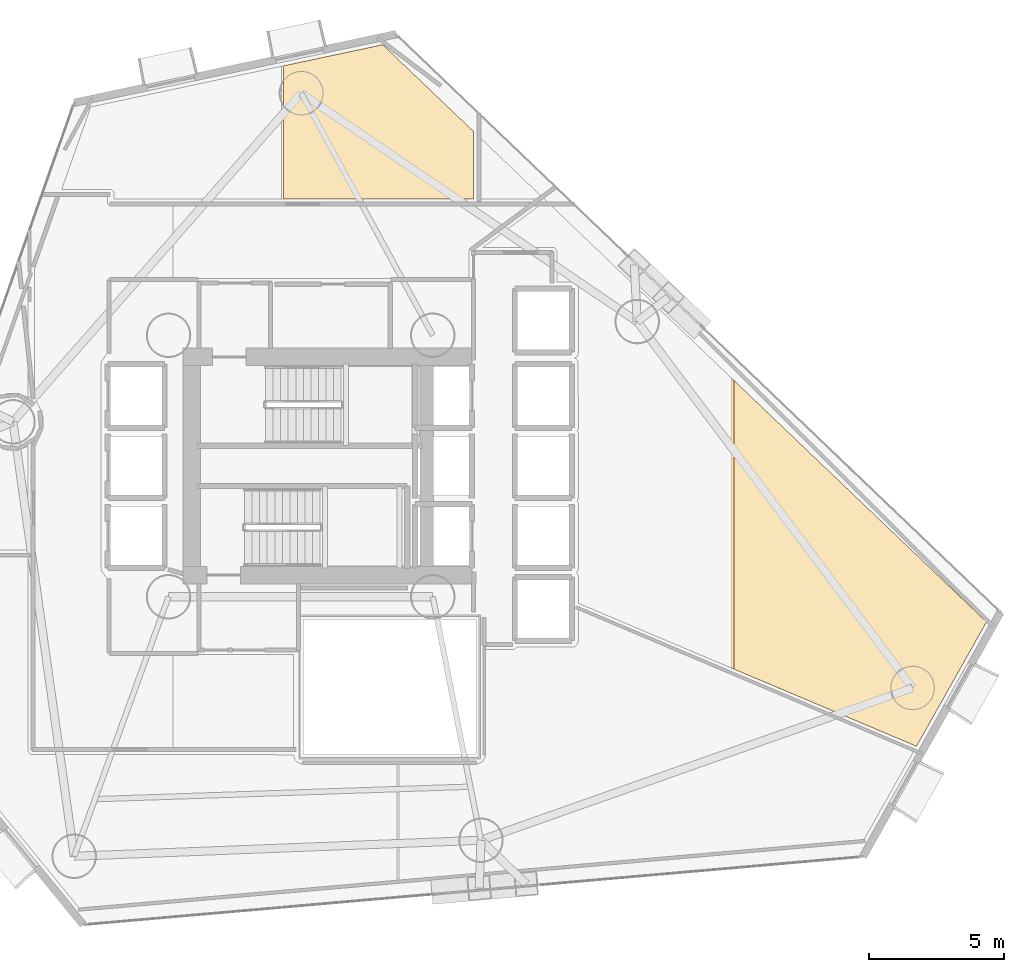
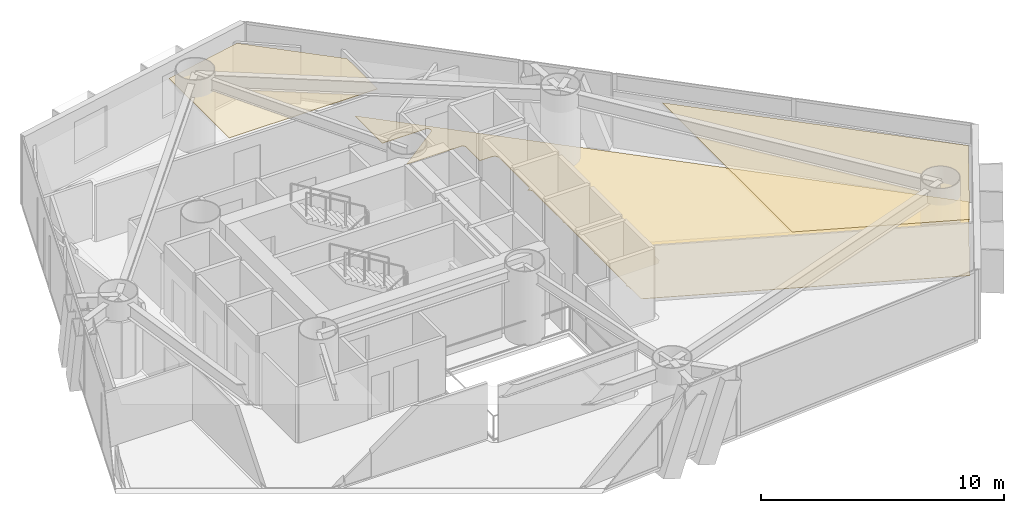
# One storey, part 23 of 23: 3 coverings.
"""IFC4 building model written with IfcOpenShell, lengths in metres."""

import ifcopenshell
import ifcopenshell.guid

model = None  # the IFC model being written
_history = None  # IfcOwnerHistory: only IFC2X3 demands one
_inside = {}  # id of a spatial element -> (the spatial element, [elements in it])
_under = {}  # id of a project, library or spatial element -> (it, [spatial elements below it])
_declared = {}  # id of a project -> (the project, [libraries it declares])
_typed = {}  # id of a type object -> (the type object, [elements of that type])
_made_of = {}  # id of a material, layer set ... -> (it, [elements and type objects made of it])


def new_model(schema):
    """Start an empty IFC model of exactly this schema.

    Asked for "IFC4X3", IfcOpenShell would pick the latest addendum, in which some entities
    have other attributes; the version numbers below select the first issue.
    IFC2X3 requires an IfcOwnerHistory on every rooted entity: one is made here for all.
    """
    global model, _history
    if schema == "IFC4X3":
        model = ifcopenshell.file(schema_version=(4, 3, 0, 0))
    else:
        model = ifcopenshell.file(schema=schema)
    _inside.clear()
    _under.clear()
    _declared.clear()
    _typed.clear()
    _made_of.clear()
    _history = None
    if model.schema == "IFC2X3":
        org = make("IfcOrganization", Name="unknown")
        user = make(
            "IfcPersonAndOrganization",
            ThePerson=make("IfcPerson", FamilyName="unknown"),
            TheOrganization=org,
        )
        app = make(
            "IfcApplication",
            ApplicationDeveloper=org,
            Version="unknown",
            ApplicationFullName="unknown",
            ApplicationIdentifier="unknown",
        )
        _history = make(
            "IfcOwnerHistory",
            OwningUser=user,
            OwningApplication=app,
            ChangeAction="ADDED",
            CreationDate=0,
        )
    return model


def make(cls, **values):
    """One entity of the class cls with the attributes given. An attribute that is None is left unset."""
    return model.create_entity(
        cls, **{name: value for name, value in values.items() if value is not None}
    )


def rooted(cls, **values):
    """An entity with a GlobalId (a new one), such as an element, a storey or a relation."""
    return make(cls, GlobalId=ifcopenshell.guid.new(), OwnerHistory=_history, **values)


def si_unit(unit_type, name, prefix=None):
    """IfcSIUnit, for example si_unit("LENGTHUNIT", "METRE", prefix="MILLI")."""
    return make("IfcSIUnit", UnitType=unit_type, Prefix=prefix, Name=name)


def assignment(units):
    """IfcUnitAssignment: the units of a project."""
    return None if units is None else make("IfcUnitAssignment", Units=units)


def point(xyz):
    """IfcCartesianPoint."""
    return None if xyz is None else make("IfcCartesianPoint", Coordinates=xyz)


def direction(xyz):
    """IfcDirection."""
    return None if xyz is None else make("IfcDirection", DirectionRatios=xyz)


def frame(location, z_axis=None, x_axis=None):
    """IfcAxis2Placement3D, a coordinate frame: its origin and axes. An axis left out is left unset."""
    return make(
        "IfcAxis2Placement3D",
        Location=point(location),
        Axis=direction(z_axis),
        RefDirection=direction(x_axis),
    )


def origin():
    """The frame at (0, 0, 0) with its axes left unset."""
    return frame((0.0, 0.0, 0.0))


def place(relative_to, where):
    """IfcLocalPlacement: puts the frame where relative to a parent placement (None: the world)."""
    return make(
        "IfcLocalPlacement", PlacementRelTo=relative_to, RelativePlacement=where
    )


def context(
    kind, dimensions, precision=None, world=None, true_north=None, identifier=None
):
    """IfcGeometricRepresentationContext, for example the 3D "Model" context."""
    return make(
        "IfcGeometricRepresentationContext",
        ContextIdentifier=identifier,
        ContextType=kind,
        CoordinateSpaceDimension=dimensions,
        Precision=precision,
        WorldCoordinateSystem=world,
        TrueNorth=true_north,
    )


def subcontext(parent, identifier, kind, view, scale=None):
    """IfcGeometricRepresentationSubContext, for example "Body" below "Model"."""
    return make(
        "IfcGeometricRepresentationSubContext",
        ContextIdentifier=identifier,
        ContextType=kind,
        ParentContext=parent,
        TargetScale=scale,
        TargetView=view,
    )


def project(units=None, contexts=None):
    """IfcProject with its units and contexts."""
    return rooted(
        "IfcProject",
        Name="project",
        RepresentationContexts=contexts,
        UnitsInContext=assignment(units),
    )


def spatial(cls, under=None, at=None, **own):
    """A site, building, storey or space (cls), placed at a placement, below another one or the project."""
    s = rooted(cls, ObjectPlacement=at, **own)
    if under is not None:
        _under.setdefault(under.id(), (under, []))[1].append(s)
    return s


def polyline(points):
    """IfcPolyline through the points."""
    return make("IfcPolyline", Points=[point(p) for p in points])


def outline(outer, holes=None, kind="AREA"):
    """IfcArbitraryClosedProfileDef: a profile drawn as a closed curve; with holes, ...WithVoids."""
    if holes is None:
        return make("IfcArbitraryClosedProfileDef", ProfileType=kind, OuterCurve=outer)
    return make(
        "IfcArbitraryProfileDefWithVoids",
        ProfileType=kind,
        OuterCurve=outer,
        InnerCurves=holes,
    )


def extrude(swept, where, along, depth):
    """IfcExtrudedAreaSolid: the profile swept, set in the frame where, extruded along a direction by depth."""
    return make(
        "IfcExtrudedAreaSolid",
        SweptArea=swept,
        Position=where,
        ExtrudedDirection=direction(along),
        Depth=depth,
    )


def shape(context_of_items, identifier, shape_type, items):
    """IfcShapeRepresentation: the items that make up one representation, for example the "Body"."""
    return make(
        "IfcShapeRepresentation",
        ContextOfItems=context_of_items,
        RepresentationIdentifier=identifier,
        RepresentationType=shape_type,
        Items=items,
    )


def material(Name=None, Category=None):
    """IfcMaterial."""
    return make("IfcMaterial", Name=Name, Category=Category)


def layer(
    of_material, thickness, ventilated=None, Name=None, Category=None, Priority=None
):
    """IfcMaterialLayer: one layer of a wall or slab, of a material (None: an air gap)."""
    return make(
        "IfcMaterialLayer",
        Material=of_material,
        LayerThickness=thickness,
        IsVentilated=ventilated,
        Name=Name,
        Category=Category,
        Priority=Priority,
    )


def layer_set(layers, Name=None):
    """IfcMaterialLayerSet."""
    return make("IfcMaterialLayerSet", MaterialLayers=layers, LayerSetName=Name)


def made_of(thing, what):
    """Note that an element or type object is made of a material, layer set ...; save() writes the relation."""
    if what is not None:
        _made_of.setdefault(what.id(), (what, []))[1].append(thing)
    return thing


def type_object(cls, material=None, **own):
    """A type object (cls), such as IfcWallType, which elements share."""
    return made_of(rooted(cls, **own), material)


def element(
    cls,
    number,
    at=None,
    inside=None,
    cuts=None,
    type_object=None,
    material=None,
    context=None,
    identifier="Body",
    shape_type=None,
    held_by="IfcProductDefinitionShape",
    body=None,
    shapes=None,
    **own,
):
    """One element of the class cls, such as IfcWall. Its Tag is "e" and its number.

    at: its placement. inside: the storey or other place that contains it. cuts: it is an
    opening in that element (IfcRelVoidsElement). A single representation is given by context,
    identifier, shape_type and body (its items); several are given by shapes. held_by: the class
    of the entity that holds the representations. save() writes the other relations.
    """
    e = rooted(cls, Tag="e%d" % number, ObjectPlacement=at, **own)
    if body is not None:
        shapes = [shape(context, identifier, shape_type, body)]
    if shapes is not None:
        e.Representation = make(held_by, Representations=shapes)
    if inside is not None:
        _inside.setdefault(inside.id(), (inside, []))[1].append(e)
    if cuts is not None:
        rooted(
            "IfcRelVoidsElement", RelatingBuildingElement=cuts, RelatedOpeningElement=e
        )
    if type_object is not None:
        _typed.setdefault(type_object.id(), (type_object, []))[1].append(e)
    return made_of(e, material)


def aggregate(whole, parts):
    """IfcRelAggregates: a whole, such as a stair, and the parts it consists of."""
    return rooted("IfcRelAggregates", RelatingObject=whole, RelatedObjects=parts)


def save(model, path):
    """Write the relations noted so far, then the file.

    IfcRelAggregates (storeys below a building ...), IfcRelContainedInSpatialStructure (elements
    in a storey), IfcRelDefinesByType, IfcRelAssociatesMaterial and IfcRelDeclares: one each for
    every whole, place, type object, material and project.
    """
    for whole, parts in _under.values():
        aggregate(whole, parts)
    for where, things in _inside.values():
        rooted(
            "IfcRelContainedInSpatialStructure",
            RelatedElements=things,
            RelatingStructure=where,
        )
    for kind, things in _typed.values():
        rooted("IfcRelDefinesByType", RelatedObjects=things, RelatingType=kind)
    for what, things in _made_of.values():
        rooted("IfcRelAssociatesMaterial", RelatedObjects=things, RelatingMaterial=what)
    for by, libraries in _declared.values():
        rooted("IfcRelDeclares", RelatingContext=by, RelatedDefinitions=libraries)
    model.write(path)


model = new_model("IFC4")

# Units and contexts
model_context = context("Model", 3, precision=1e-05, world=origin(), true_north=direction((0.0, 1.0)))
body_context = subcontext(model_context, "Body", "Model", "MODEL_VIEW")
ifc_project = project(units=[si_unit("LENGTHUNIT", "METRE"), si_unit("AREAUNIT", "SQUARE_METRE"), si_unit("VOLUMEUNIT", "CUBIC_METRE"), si_unit("PLANEANGLEUNIT", "RADIAN"), si_unit("MASSUNIT", "GRAM", prefix="KILO")], contexts=[model_context])

# Site, building, storey
site_placement = place(None, origin())
site = spatial("IfcSite", under=ifc_project, at=site_placement, CompositionType="ELEMENT")
building_placement = place(site_placement, origin())
building = spatial("IfcBuilding", under=site, at=building_placement, Name="Qianvela Tower", CompositionType="ELEMENT")
storey_placement = place(building_placement, frame((0.0, 0.0, 63.60009765625)))
storey = spatial("IfcBuildingStorey", under=building, at=storey_placement, Name="L15", CompositionType="ELEMENT", Elevation=63.60009765625)

# Coverings
ifc_material_1 = material(Name="Perforated Mineral Acoustic Ceiling Tile")
ifc_layer_1 = layer(ifc_material_1, 0.02490234375)
ifc_layer_set_1 = layer_set([ifc_layer_1], Name="Perforated Mineral Acoustic Ceiling Tile")
covering_type_1 = type_object("IfcCoveringType", Name="COV-CEIL-ACOUSTIC-25", PredefinedType="CEILING", material=ifc_layer_set_1)
covering_1_placement = place(storey_placement, frame((0.0, 0.0, 2.81494140625)))
element("IfcCovering", 1, at=covering_1_placement, inside=storey, type_object=covering_type_1, Name="L15 Acoustic Ceiling Bay 2 Maker Craft Workshop L15-02", PredefinedType="CEILING", context=body_context, shape_type="SweptSolid", body=[
    extrude(outline(polyline([(58.94140625, 22.91748046875), (56.343505859375, 18.3037109375), (49.567138671875, 21.169921875), (49.567138671875, 31.879638671875), (58.94140625, 22.91748046875)])), origin(), (0.0, 0.0, 1.0), 0.02490234375),
])
covering_2_placement = place(storey_placement, frame((0.0, 0.0, 2.81494140625)))
element("IfcCovering", 2, at=covering_2_placement, inside=storey, type_object=covering_type_1, Name="L15 Acoustic Ceiling Bay 2 Student Reading Library L15-03", PredefinedType="CEILING", context=body_context, shape_type="SweptSolid", body=[
    extrude(outline(polyline([(36.547119140625, 44.327392578125), (39.918212890625, 41.1044921875), (39.918212890625, 38.6015625), (32.871337890625, 38.60595703125), (32.871337890625, 43.54443359375), (36.547119140625, 44.327392578125)])), origin(), (0.0, 0.0, 1.0), 0.02490234375),
])
ifc_material_2 = material(Name="Engineered Acoustic Oak Timber Flooring", Category="wood")
ifc_layer_2 = layer(ifc_material_2, 0.02001953125)
ifc_layer_set_2 = layer_set([ifc_layer_2], Name="Engineered Acoustic Oak Timber Flooring")
covering_type_2 = type_object("IfcCoveringType", Name="COV-FLOOR-OAK-20", PredefinedType="FLOORING", material=ifc_layer_set_2)
covering_3_placement = place(storey_placement, origin())
element("IfcCovering", 3, at=covering_3_placement, inside=storey, type_object=covering_type_2, Name="L15 Finish Flooring Maker Craft Workshop L15-02", PredefinedType="FLOORING", context=body_context, shape_type="SweptSolid", body=[
    extrude(outline(polyline([(40.262451171875, 36.8095703125), (42.298583984375, 38.321533203125), (42.303955078125, 38.326171875), (42.30908203125, 38.3310546875), (42.31396484375, 38.336669921875), (42.318115234375, 38.342529296875), (42.32177734375, 38.3486328125), (42.35400390625, 38.410400390625), (42.357177734375, 38.417236328125), (42.359619140625, 38.424560546875), (42.361572265625, 38.431884765625), (42.362548828125, 38.439208984375), (42.363037109375, 38.44677734375), (42.36279296875, 38.454345703125), (42.36181640625, 38.4619140625), (42.360107421875, 38.46923828125), (42.357666015625, 38.476318359375), (42.335205078125, 38.53466796875), (42.331787109375, 38.5419921875), (42.327880859375, 38.548828125), (42.3232421875, 38.555419921875), (42.31787109375, 38.561279296875), (42.31201171875, 38.56689453125), (42.3056640625, 38.57177734375), (42.298828125, 38.575927734375), (42.291748046875, 38.579345703125), (42.234375, 38.603759765625), (42.226806640625, 38.6064453125), (42.218994140625, 38.6083984375), (42.211181640625, 38.609619140625), (42.203125, 38.610107421875), (40.162109375, 38.610107421875), (40.162109375, 40.871337890625), (58.94140625, 22.91748046875), (56.343505859375, 18.3037109375), (43.7998046875, 23.609130859375), (43.79931640625, 24.61376953125), (43.798828125, 24.622314453125), (43.797607421875, 24.630615234375), (43.79541015625, 24.638916015625), (43.792236328125, 24.646728515625), (43.788330078125, 24.654296875), (43.78369140625, 24.661376953125), (43.72509765625, 24.740234375), (43.725830078125, 24.740478515625), (43.733154296875, 24.7451171875), (43.73974609375, 24.75), (43.74609375, 24.755859375), (43.75146484375, 24.76220703125), (43.75634765625, 24.76904296875), (43.76025390625, 24.776611328125), (43.763427734375, 24.7841796875), (43.79541015625, 24.873046875), (43.79736328125, 24.879638671875), (43.798828125, 24.88623046875), (43.7998046875, 24.89306640625), (43.800048828125, 24.89990234375), (43.800048828125, 27.300048828125), (43.799560546875, 27.30810546875), (43.79833984375, 27.31591796875), (43.79638671875, 27.323486328125), (43.793701171875, 27.3310546875), (43.7646484375, 27.39990234375), (43.793701171875, 27.468994140625), (43.79638671875, 27.476318359375), (43.79833984375, 27.484130859375), (43.799560546875, 27.491943359375), (43.800048828125, 27.5), (43.800048828125, 29.89990234375), (43.799560546875, 29.907958984375), (43.79833984375, 29.915771484375), (43.79638671875, 29.923583984375), (43.793701171875, 29.93115234375), (43.7646484375, 30.0), (43.793701171875, 30.06884765625), (43.79638671875, 30.076416015625), (43.79833984375, 30.084228515625), (43.799560546875, 30.09228515625), (43.800048828125, 30.10009765625), (43.7939453125, 32.540771484375), (43.793701171875, 32.548583984375), (43.79248046875, 32.556396484375), (43.79052734375, 32.56396484375), (43.787841796875, 32.5712890625), (43.784423828125, 32.578369140625), (43.780517578125, 32.585205078125), (43.7353515625, 32.652587890625), (43.73095703125, 32.658447265625), (43.726318359375, 32.6640625), (43.720947265625, 32.6689453125), (43.715087890625, 32.673583984375), (43.708984375, 32.677490234375), (43.702392578125, 32.680908203125), (43.69580078125, 32.68359375), (43.644287109375, 32.701904296875), (43.722412109375, 32.739013671875), (43.729248046875, 32.74267578125), (43.73583984375, 32.746826171875), (43.741943359375, 32.751953125), (43.74755859375, 32.757568359375), (43.75244140625, 32.763427734375), (43.7568359375, 32.77001953125), (43.760498046875, 32.777099609375), (43.763427734375, 32.7841796875), (43.79541015625, 32.873046875), (43.79736328125, 32.879638671875), (43.798828125, 32.886474609375), (43.7998046875, 32.893310546875), (43.800048828125, 32.900146484375), (43.79736328125, 35.327392578125), (43.796875, 35.3359375), (43.79541015625, 35.344482421875), (43.793212890625, 35.352783203125), (43.7900390625, 35.36083984375), (43.785888671875, 35.368408203125), (43.7373046875, 35.44921875), (43.732666015625, 35.456298828125), (43.727294921875, 35.462890625), (43.72119140625, 35.46875), (43.71435546875, 35.47412109375), (43.70703125, 35.478515625), (43.699462890625, 35.482177734375), (43.624267578125, 35.51318359375), (43.616943359375, 35.515869140625), (43.609375, 35.517822265625), (43.6015625, 35.518798828125), (43.59375, 35.519287109375), (43.0, 35.52001953125), (43.010009765625, 36.6494140625), (43.009765625, 36.6572265625), (43.008544921875, 36.6650390625), (43.006591796875, 36.6728515625), (43.00390625, 36.680419921875), (43.00048828125, 36.6875), (42.99658203125, 36.6943359375), (42.947021484375, 36.768310546875), (42.9423828125, 36.774658203125), (42.937255859375, 36.780517578125), (42.931396484375, 36.78564453125), (42.925048828125, 36.790283203125), (42.91845703125, 36.79443359375), (42.911376953125, 36.7978515625), (42.904052734375, 36.80029296875), (42.896484375, 36.80224609375), (42.888671875, 36.803466796875), (42.880859375, 36.803955078125), (40.262451171875, 36.8095703125)])), origin(), (0.0, 0.0, 1.0), 0.02001953125),
])

save(model, "model.ifc")
